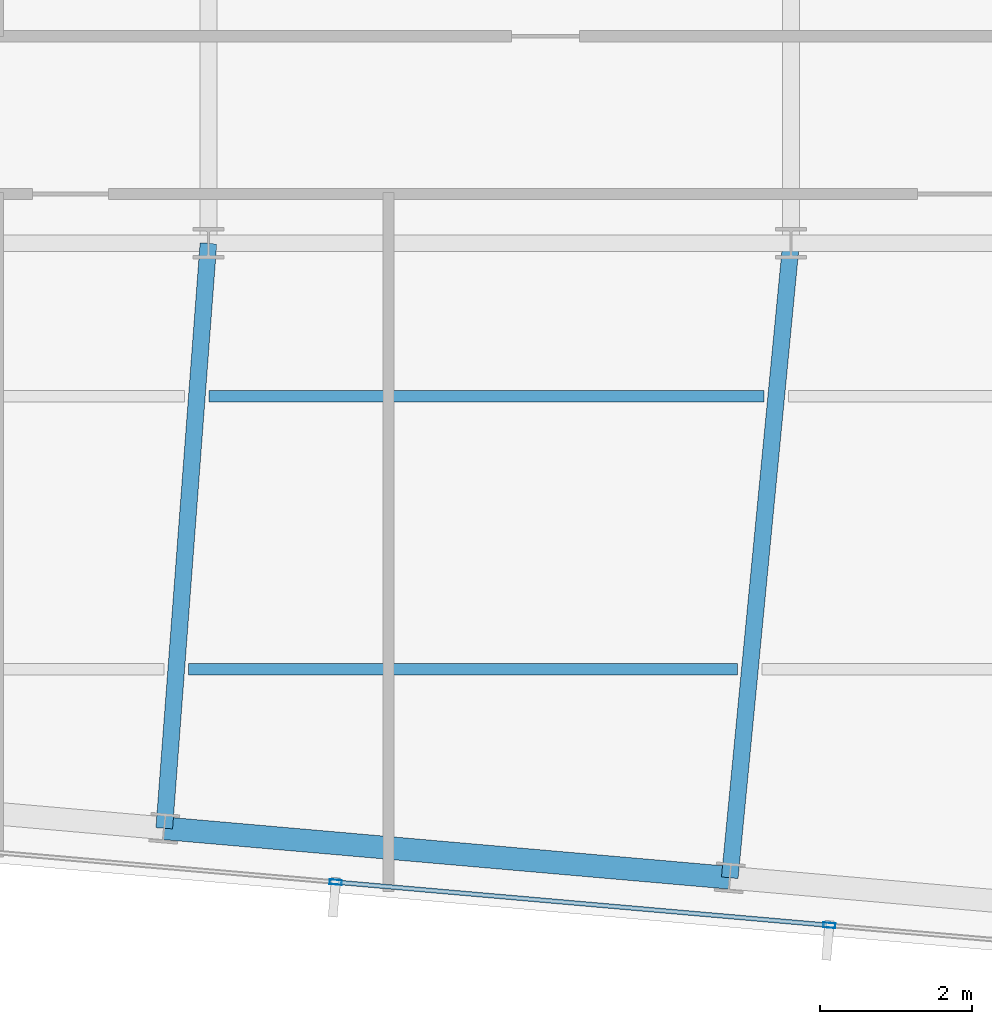
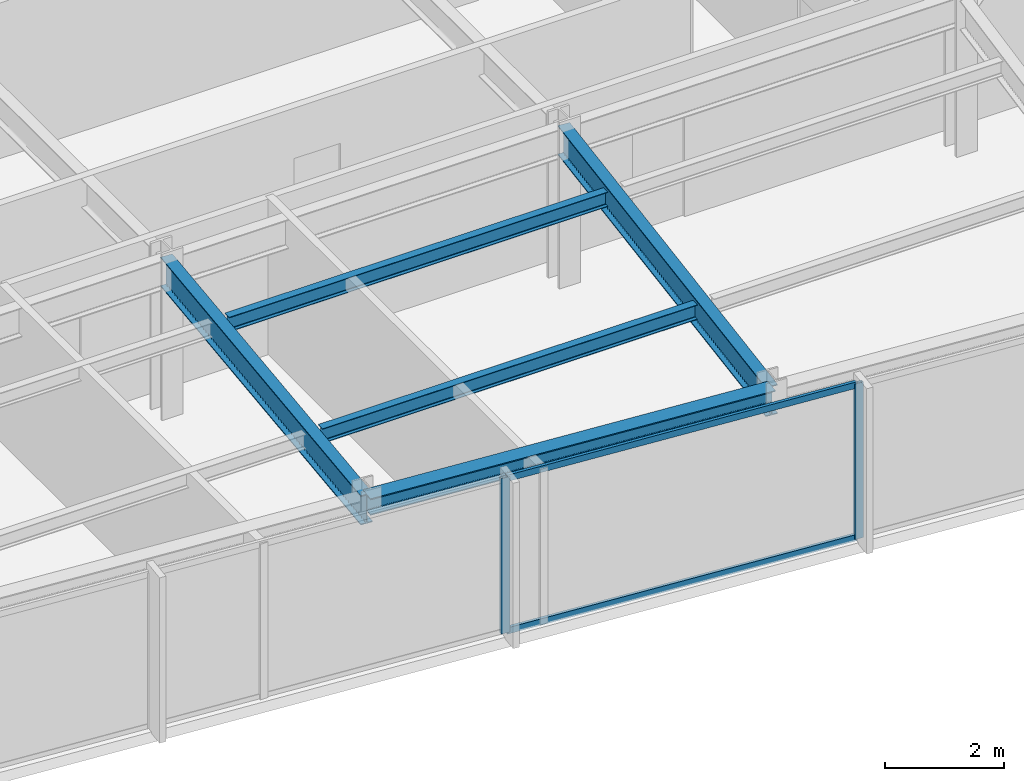
# One storey, part 13 of 32: 5 beams, 4 members, 1 element without a shape of its own.
"""IFC4 building model written with IfcOpenShell, lengths in metres."""

from ifc_helpers import new_model, si_unit, direction, frame, origin, origin_2d, place, context, subcontext, project, spatial, hollow_rectangle, i_section, extrude, material, material_profile, profile_set, type_object, element, aggregate, save


model = new_model("IFC4")

# Units and contexts
model_context = context("Model", 3, precision=1e-05, world=origin(), true_north=direction((0.0, 1.0)))
body_context = subcontext(model_context, "Body", "Model", "MODEL_VIEW")
ifc_project = project(units=[si_unit("LENGTHUNIT", "METRE"), si_unit("AREAUNIT", "SQUARE_METRE"), si_unit("VOLUMEUNIT", "CUBIC_METRE"), si_unit("PLANEANGLEUNIT", "RADIAN"), si_unit("MASSUNIT", "GRAM", prefix="KILO")], contexts=[model_context])

# Site, building, storey
site_placement = place(None, origin())
site = spatial("IfcSite", under=ifc_project, at=site_placement, CompositionType="ELEMENT")
building_placement = place(site_placement, origin())
building = spatial("IfcBuilding", under=site, at=building_placement, Name="Yelkora Congress Tower", CompositionType="ELEMENT")
storey_placement = place(building_placement, frame((0.0, 0.0, 262.5)))
storey = spatial("IfcBuildingStorey", under=building, at=storey_placement, Name="L73", CompositionType="ELEMENT", Elevation=262.5)

# Beams
ifc_material_1 = material(Name="Steel S355J2", Category="steel")
ifc_material_profile_1 = material_profile(ifc_material_1, i_section(OverallWidth=0.219970703125, OverallDepth=0.60009765625, WebThickness=0.011962890625, FlangeThickness=0.01904296875, FilletRadius=0.02392578125, at=origin_2d()), Name="IPE 600")
ifc_profile_set_1 = profile_set([ifc_material_profile_1], Name="Steel S355J2")
beam_type_1 = type_object("IfcBeamType", Name="BM-GIRD-IPE600", PredefinedType="BEAM", material=ifc_profile_set_1)
beam_1_placement = place(storey_placement, frame((37.8173828125, 17.489013671875, 2.8798828125), z_axis=(0.075329932006, 0.997158664077, 0.0), x_axis=(-0.997158664077, 0.075329932006, 0.0)))
element("IfcBeam", 1, at=beam_1_placement, inside=storey, type_object=beam_type_1, Name="L73 Primary Frame Girder S05", PredefinedType="BEAM", context=body_context, shape_type="SweptSolid", body=[
    extrude(i_section(OverallWidth=0.219970703125, OverallDepth=0.60009765625, WebThickness=0.011962890625, FlangeThickness=0.01904296875, FilletRadius=0.02392578125, at=origin_2d()), origin(), (0.0, 0.0, 1.0), 7.73291015625),
])
beam_2_placement = place(storey_placement, frame((45.2724609375, 16.836669921875, 2.8798828125), z_axis=(0.096119896563, 0.995369763196, 0.0), x_axis=(-0.995369763196, 0.096119896563, 0.0)))
element("IfcBeam", 2, at=beam_2_placement, inside=storey, type_object=beam_type_1, Name="L73 Primary Frame Girder S06", PredefinedType="BEAM", context=body_context, shape_type="SweptSolid", body=[
    extrude(i_section(OverallWidth=0.219970703125, OverallDepth=0.60009765625, WebThickness=0.011962890625, FlangeThickness=0.01904296875, FilletRadius=0.02392578125, at=origin_2d()), origin(), (0.0, 0.0, 1.0), 8.402099609375),
])
ifc_material_profile_2 = material_profile(ifc_material_1, i_section(OverallWidth=0.14990234375, OverallDepth=0.300048828125, WebThickness=0.007080078125, FlangeThickness=0.0107421875, FilletRadius=0.014892578125, at=origin_2d()), Name="IPE 300")
ifc_profile_set_2 = profile_set([ifc_material_profile_2], Name="Steel S355J2")
beam_type_2 = type_object("IfcBeamType", Name="BM-JOIST-IPE300", PredefinedType="JOIST", material=ifc_profile_set_2)
beam_3_placement = place(storey_placement, frame((38.1357421875, 19.58447265625, 3.030029296875), z_axis=(1.0, 0.0, 0.0), x_axis=(0.0, 1.0, 0.0)))
element("IfcBeam", 3, at=beam_3_placement, inside=storey, type_object=beam_type_2, Name="L73 Composite Floor Joist 3", PredefinedType="JOIST", context=body_context, shape_type="SweptSolid", body=[
    extrude(i_section(OverallWidth=0.14990234375, OverallDepth=0.300048828125, WebThickness=0.007080078125, FlangeThickness=0.0107421875, FilletRadius=0.014892578125, at=origin_2d()), origin(), (0.0, 0.0, 1.0), 7.241943359375),
])
beam_4_placement = place(storey_placement, frame((38.40771484375, 23.1845703125, 3.030029296875), z_axis=(1.0, 0.0, 0.0), x_axis=(0.0, 1.0, 0.0)))
element("IfcBeam", 4, at=beam_4_placement, inside=storey, type_object=beam_type_2, Name="L73 Composite Floor Joist 7", PredefinedType="JOIST", context=body_context, shape_type="SweptSolid", body=[
    extrude(i_section(OverallWidth=0.14990234375, OverallDepth=0.300048828125, WebThickness=0.007080078125, FlangeThickness=0.0107421875, FilletRadius=0.014892578125, at=origin_2d()), origin(), (0.0, 0.0, 1.0), 7.317626953125),
])
ifc_material_profile_3 = material_profile(ifc_material_1, i_section(OverallWidth=0.300048828125, OverallDepth=0.340087890625, WebThickness=0.011962890625, FlangeThickness=0.021484375, FilletRadius=0.027099609375, at=origin_2d()), Name="HEB 340")
ifc_profile_set_3 = profile_set([ifc_material_profile_3], Name="Steel S355J2")
beam_type_3 = type_object("IfcBeamType", Name="BM-SPAN-HEB340", PredefinedType="SPANDREL", material=ifc_profile_set_3)
beam_5_placement = place(storey_placement, frame((37.8173828125, 17.489013671875, 3.010009765625), z_axis=(0.996193434204, -0.08717018785, 0.0), x_axis=(0.08717018785, 0.996193434204, 0.0)))
element("IfcBeam", 5, at=beam_5_placement, inside=storey, type_object=beam_type_3, Name="L73 Perimeter Beam 5", PredefinedType="SPANDREL", context=body_context, shape_type="SweptSolid", body=[
    extrude(i_section(OverallWidth=0.300048828125, OverallDepth=0.340087890625, WebThickness=0.011962890625, FlangeThickness=0.021484375, FilletRadius=0.027099609375, at=origin_2d()), origin(), (0.0, 0.0, 1.0), 7.483642578125),
])

# Curtain wall, members
ifc_material_2 = material(Name="Anodised aluminium and insulated glass", Category="aluminium")
curtain_wall_type = type_object("IfcCurtainWallType", Name="CW-SYS-B5", PredefinedType="NOTDEFINED", material=ifc_material_2)
curtain_wall_placement = place(storey_placement, origin())
curtain_wall = element("IfcCurtainWall", 6, at=curtain_wall_placement, inside=storey, type_object=curtain_wall_type, Name="L73 Unitised Curtain Wall 20", PredefinedType="NOTDEFINED")
ifc_material_3 = material(Name="Anodised aluminium 6063-T6", Category="aluminium")
ifc_material_profile_4 = material_profile(ifc_material_3, hollow_rectangle(XDim=0.06494140625, YDim=0.159912109375, WallThickness=0.00390625, at=origin_2d()), Name="ALU 65x160x4")
ifc_profile_set_4 = profile_set([ifc_material_profile_4], Name="Anodised aluminium 6063-T6")
member_type_1 = type_object("IfcMemberType", Name="MEM-ML-B5", PredefinedType="MULLION", material=ifc_profile_set_4)
member_1_placement = place(storey_placement, frame((46.58447265625, 16.2099609375, 0.0), z_axis=(0.0, 0.0, 1.0), x_axis=(-0.087156829793, -0.996194602987, 0.0)))
member_1 = element("IfcMember", 7, at=member_1_placement, type_object=member_type_1, Name="CW-B5 mullion 2", PredefinedType="MULLION", context=body_context, shape_type="SweptSolid", body=[
    extrude(hollow_rectangle(XDim=0.06494140625, YDim=0.159912109375, WallThickness=0.00390625, at=origin_2d()), origin(), (0.0, 0.0, 1.0), 3.179931640625),
])
member_2_placement = place(storey_placement, frame((40.077880859375, 16.779296875, 0.0), z_axis=(0.0, 0.0, 1.0), x_axis=(-0.087156829793, -0.996194602987, 0.0)))
member_2 = element("IfcMember", 8, at=member_2_placement, type_object=member_type_1, Name="CW-B5 mullion 3", PredefinedType="MULLION", context=body_context, shape_type="SweptSolid", body=[
    extrude(hollow_rectangle(XDim=0.06494140625, YDim=0.159912109375, WallThickness=0.00390625, at=origin_2d()), origin(), (0.0, 0.0, 1.0), 3.179931640625),
])
ifc_material_profile_5 = material_profile(ifc_material_3, hollow_rectangle(XDim=0.06005859375, YDim=0.1298828125, WallThickness=0.00390625, at=origin_2d()), Name="ALU 60x130x4")
ifc_profile_set_5 = profile_set([ifc_material_profile_5], Name="Anodised aluminium 6063-T6")
member_type_2 = type_object("IfcMemberType", Name="MEM-TR-B5", PredefinedType="USERDEFINED", material=ifc_profile_set_5)
member_3_placement = place(storey_placement, frame((46.55224609375, 16.212890625, 0.030029296875), z_axis=(-0.996196257862, 0.087137912649, 0.0), x_axis=(-0.087137912649, -0.996196257862, 0.0)))
member_3 = element("IfcMember", 9, at=member_3_placement, type_object=member_type_2, Name="CW-B5 transom 2.1", ObjectType="TRANSOM", PredefinedType="USERDEFINED", context=body_context, shape_type="SweptSolid", body=[
    extrude(hollow_rectangle(XDim=0.06005859375, YDim=0.1298828125, WallThickness=0.00390625, at=origin_2d()), origin(), (0.0, 0.0, 1.0), 6.466552734375),
])
member_4_placement = place(storey_placement, frame((46.55224609375, 16.212890625, 3.14990234375), z_axis=(-0.996196257862, 0.087137912649, 0.0), x_axis=(-0.087137912649, -0.996196257862, 0.0)))
member_4 = element("IfcMember", 10, at=member_4_placement, type_object=member_type_2, Name="CW-B5 transom 2.2", ObjectType="TRANSOM", PredefinedType="USERDEFINED", context=body_context, shape_type="SweptSolid", body=[
    extrude(hollow_rectangle(XDim=0.06005859375, YDim=0.1298828125, WallThickness=0.00390625, at=origin_2d()), origin(), (0.0, 0.0, 1.0), 6.466552734375),
])
aggregate(curtain_wall, [member_1, member_2, member_3, member_4])

save(model, "model.ifc")
